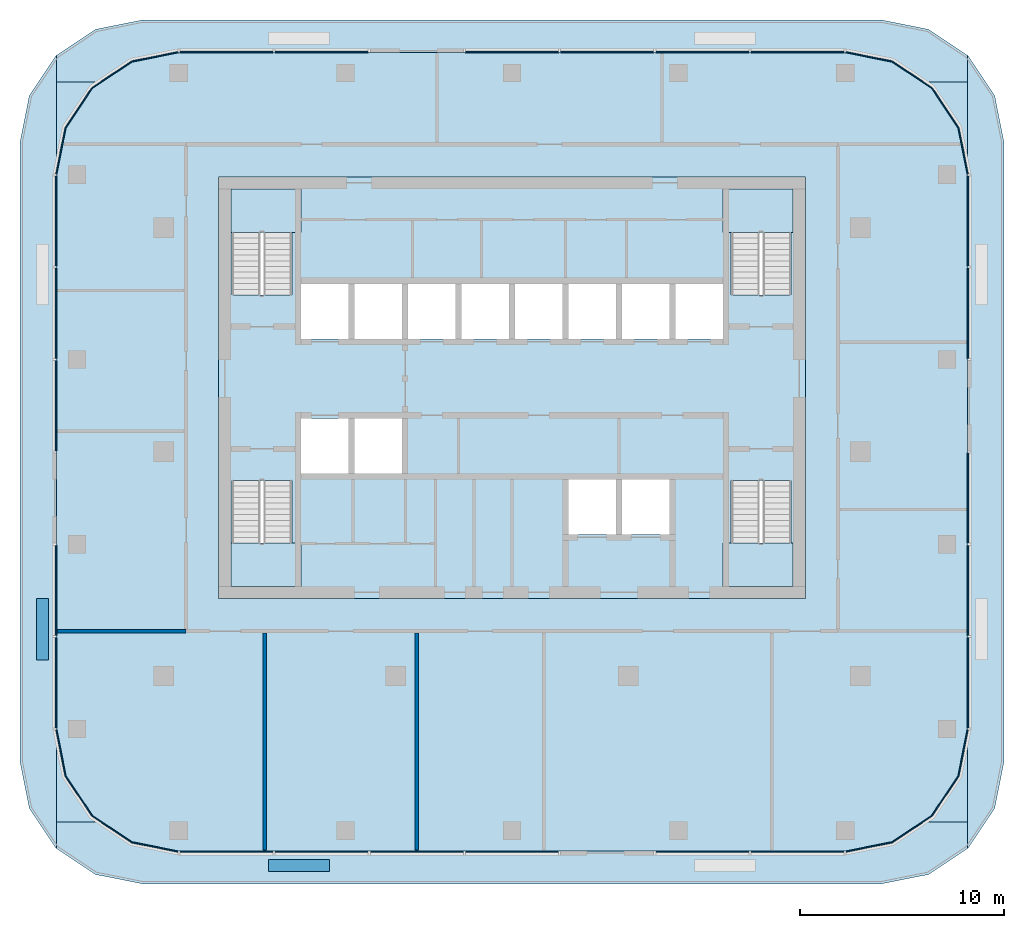
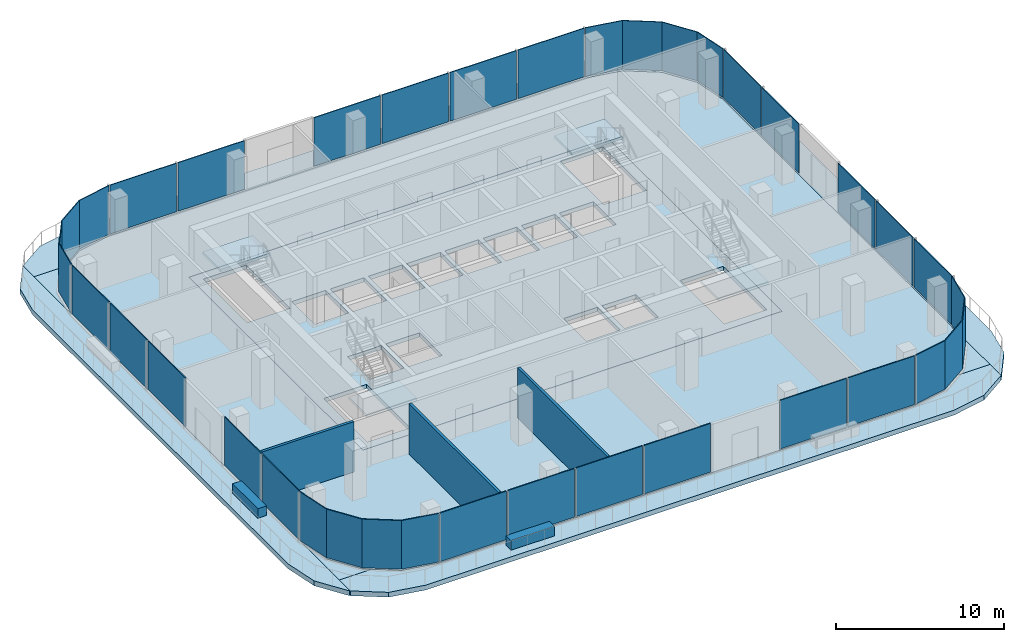
# One storey, part 5 of 12: 26 plates, 14 slabs, 5 walls, 16 elements without a shape of their own.
"""IFC4 building model written with IfcOpenShell, lengths in metres."""

from ifc_helpers import new_model, si_unit, direction, frame, frame_2d, origin, origin_2d, place, context, subcontext, project, spatial, polyline, rectangle, outline, extrude, material, layer, layer_set, type_object, element, aggregate, save


model = new_model("IFC4")

# Units and contexts
model_context = context("Model", 3, precision=1e-05, world=origin(), true_north=direction((0.0, 1.0)))
body_context = subcontext(model_context, "Body", "Model", "MODEL_VIEW")
ifc_project = project(units=[si_unit("LENGTHUNIT", "METRE"), si_unit("AREAUNIT", "SQUARE_METRE"), si_unit("VOLUMEUNIT", "CUBIC_METRE"), si_unit("PLANEANGLEUNIT", "RADIAN"), si_unit("MASSUNIT", "GRAM", prefix="KILO")], contexts=[model_context])

# Site, building, storey
site_placement = place(None, origin())
site = spatial("IfcSite", under=ifc_project, at=site_placement, CompositionType="ELEMENT")
building_placement = place(site_placement, origin())
building = spatial("IfcBuilding", under=site, at=building_placement, Name="Mopane Tessera Tower", CompositionType="ELEMENT")
storey_placement = place(building_placement, frame((0.0, 0.0, 349.39990234375)))
storey = spatial("IfcBuildingStorey", under=building, at=storey_placement, Name="L76", CompositionType="ELEMENT", Elevation=349.39990234375)

# Slab
ifc_material_1 = material(Name="Concrete C40/50", Category="concrete")
ifc_layer_1 = layer(ifc_material_1, 0.300048828125)
ifc_layer_set_1 = layer_set([ifc_layer_1], Name="Concrete C40/50")
slab_type_1 = type_object("IfcSlabType", Name="Core floor slab 300 mm", PredefinedType="FLOOR", material=ifc_layer_set_1)
slab_1_placement = place(storey_placement, frame((0.0, 0.0, -0.2998046875)))
element("IfcSlab", 1, at=slab_1_placement, inside=storey, type_object=slab_type_1, Name="L76 core floor slab", PredefinedType="FLOOR", context=body_context, shape_type="SweptSolid", body=[
    extrude(outline(polyline([(-14.39990234375, -7.199951171875), (14.39990234375, -7.199951171875), (14.39990234375, 13.5), (-14.39990234375, 13.5), (-14.39990234375, -7.199951171875)]), holes=[polyline([(-10.35009765625, -1.050048828125), (-8.02490234375, -1.050048828125), (-8.02490234375, 1.64990234375), (-10.35009765625, 1.64990234375), (-10.35009765625, -1.050048828125)]), polyline([(-7.72509765625, -1.050048828125), (-5.39990234375, -1.050048828125), (-5.39990234375, 1.64990234375), (-7.72509765625, 1.64990234375), (-7.72509765625, -1.050048828125)]), polyline([(-10.35009765625, 5.550048828125), (-8.02490234375, 5.550048828125), (-8.02490234375, 8.25), (-10.35009765625, 8.25), (-10.35009765625, 5.550048828125)]), polyline([(-7.72509765625, 5.550048828125), (-5.39990234375, 5.550048828125), (-5.39990234375, 8.25), (-7.72509765625, 8.25), (-7.72509765625, 5.550048828125)]), polyline([(-5.10009765625, 5.550048828125), (-2.77490234375, 5.550048828125), (-2.77490234375, 8.25), (-5.10009765625, 8.25), (-5.10009765625, 5.550048828125)]), polyline([(-2.47509765625, 5.550048828125), (-0.14990234375, 5.550048828125), (-0.14990234375, 8.25), (-2.47509765625, 8.25), (-2.47509765625, 5.550048828125)]), polyline([(0.14990234375, 5.550048828125), (2.47509765625, 5.550048828125), (2.47509765625, 8.25), (0.14990234375, 8.25), (0.14990234375, 5.550048828125)]), polyline([(2.77490234375, 5.550048828125), (5.10009765625, 5.550048828125), (5.10009765625, 8.25), (2.77490234375, 8.25), (2.77490234375, 5.550048828125)]), polyline([(5.39990234375, 5.550048828125), (7.72509765625, 5.550048828125), (7.72509765625, 8.25), (5.39990234375, 8.25), (5.39990234375, 5.550048828125)]), polyline([(8.02490234375, 5.550048828125), (10.35009765625, 5.550048828125), (10.35009765625, 8.25), (8.02490234375, 8.25), (8.02490234375, 5.550048828125)]), polyline([(2.77490234375, -4.050048828125), (5.10009765625, -4.050048828125), (5.10009765625, -1.35009765625), (2.77490234375, -1.35009765625), (2.77490234375, -4.050048828125)]), polyline([(5.39990234375, -4.050048828125), (7.72509765625, -4.050048828125), (7.72509765625, -1.35009765625), (5.39990234375, -1.35009765625), (5.39990234375, -4.050048828125)]), polyline([(-13.75, -1.405029296875), (-13.75, -6.60009765625), (-10.800048828125, -6.60009765625), (-10.800048828125, -1.405029296875), (-13.75, -1.405029296875)]), polyline([(-10.800048828125, 7.705078125), (-10.800048828125, 12.89990234375), (-13.75, 12.89990234375), (-13.75, 7.705078125), (-10.800048828125, 7.705078125)]), polyline([(10.75, -1.405029296875), (10.75, -6.60009765625), (13.699951171875, -6.60009765625), (13.699951171875, -1.405029296875), (10.75, -1.405029296875)]), polyline([(13.699951171875, 7.705078125), (13.699951171875, 12.89990234375), (10.75, 12.89990234375), (10.75, 7.705078125), (13.699951171875, 7.705078125)])]), origin(), (0.0, 0.0, 1.0), 0.2998046875),
])

# Stair, slab
ifc_material_2 = material(Name="Concrete C50/60", Category="concrete")
stair_type = type_object("IfcStairType", Name="Escape stair 1400 mm, riser 167 mm", PredefinedType="HALF_TURN_STAIR", material=ifc_material_2)
stair_1_placement = place(storey_placement, origin())
stair_1 = element("IfcStair", 2, at=stair_1_placement, inside=storey, type_object=stair_type, Name="L76 Escape stair south-west", PredefinedType="HALF_TURN_STAIR")
ifc_material_3 = material(Name="Concrete C50/60", Category="concrete")
ifc_layer_2 = layer(ifc_material_3, 0.199951171875)
ifc_layer_set_2 = layer_set([ifc_layer_2], Name="Concrete C50/60")
slab_type_2 = type_object("IfcSlabType", Name="Escape stair landing 200 mm", PredefinedType="LANDING", material=ifc_layer_set_2)
slab_2_placement = place(storey_placement, frame((0.0, 0.0, 1.800048828125)))
slab_2 = element("IfcSlab", 3, at=slab_2_placement, type_object=slab_type_2, Name="ST1 landing 1", PredefinedType="LANDING", context=body_context, shape_type="SweptSolid", body=[
    extrude(outline(polyline([(-13.800048828125, -4.47998046875), (-13.800048828125, -6.60009765625), (-10.35009765625, -6.60009765625), (-10.35009765625, -4.47998046875), (-13.800048828125, -4.47998046875)])), origin(), (0.0, 0.0, 1.0), 0.199951171875),
])
aggregate(stair_1, [slab_2])

stair_2_placement = place(storey_placement, origin())
stair_2 = element("IfcStair", 4, at=stair_2_placement, inside=storey, type_object=stair_type, Name="L76 Escape stair north-west", PredefinedType="HALF_TURN_STAIR")
slab_3_placement = place(storey_placement, frame((0.0, 0.0, 1.800048828125)))
slab_3 = element("IfcSlab", 5, at=slab_3_placement, type_object=slab_type_2, Name="ST2 landing 1", PredefinedType="LANDING", context=body_context, shape_type="SweptSolid", body=[
    extrude(outline(polyline([(-10.35009765625, 10.780029296875), (-10.35009765625, 12.89990234375), (-13.800048828125, 12.89990234375), (-13.800048828125, 10.780029296875), (-10.35009765625, 10.780029296875)])), origin(), (0.0, 0.0, 1.0), 0.199951171875),
])
aggregate(stair_2, [slab_3])

stair_3_placement = place(storey_placement, origin())
stair_3 = element("IfcStair", 6, at=stair_3_placement, inside=storey, type_object=stair_type, Name="L76 Escape stair south-east", PredefinedType="HALF_TURN_STAIR")
slab_4_placement = place(storey_placement, frame((0.0, 0.0, 1.800048828125)))
slab_4 = element("IfcSlab", 7, at=slab_4_placement, type_object=slab_type_2, Name="ST3 landing 1", PredefinedType="LANDING", context=body_context, shape_type="SweptSolid", body=[
    extrude(outline(polyline([(10.35009765625, -4.47998046875), (10.35009765625, -6.60009765625), (13.800048828125, -6.60009765625), (13.800048828125, -4.47998046875), (10.35009765625, -4.47998046875)])), origin(), (0.0, 0.0, 1.0), 0.199951171875),
])
aggregate(stair_3, [slab_4])

stair_4_placement = place(storey_placement, origin())
stair_4 = element("IfcStair", 8, at=stair_4_placement, inside=storey, type_object=stair_type, Name="L76 Escape stair north-east", PredefinedType="HALF_TURN_STAIR")
slab_5_placement = place(storey_placement, frame((0.0, 0.0, 1.800048828125)))
slab_5 = element("IfcSlab", 9, at=slab_5_placement, type_object=slab_type_2, Name="ST4 landing 1", PredefinedType="LANDING", context=body_context, shape_type="SweptSolid", body=[
    extrude(outline(polyline([(13.800048828125, 10.780029296875), (13.800048828125, 12.89990234375), (10.35009765625, 12.89990234375), (10.35009765625, 10.780029296875), (13.800048828125, 10.780029296875)])), origin(), (0.0, 0.0, 1.0), 0.199951171875),
])
aggregate(stair_4, [slab_5])

# Slabs
ifc_material_4 = material(Name="Concrete C40/50", Category="concrete")
ifc_layer_3 = layer(ifc_material_4, 0.35009765625)
ifc_layer_set_3 = layer_set([ifc_layer_3], Name="Concrete C40/50")
slab_type_3 = type_object("IfcSlabType", Name="Post-tensioned flat plate 350 mm", PredefinedType="FLOOR", material=ifc_layer_set_3)
slab_6_placement = place(storey_placement, frame((0.0, 0.0, -0.349853515625)))
element("IfcSlab", 10, at=slab_6_placement, inside=storey, type_object=slab_type_3, Name="Floor slab L76", PredefinedType="FLOOR", context=body_context, shape_type="SweptSolid", body=[
    extrude(outline(polyline([(-16.35009765625, -19.60009765625), (16.35009765625, -19.60009765625), (18.64599609375, -19.143310546875), (20.592529296875, -17.842529296875), (21.893310546875, -15.89599609375), (22.35009765625, -13.60009765625), (22.35009765625, 13.60009765625), (21.893310546875, 15.89599609375), (20.592529296875, 17.842529296875), (18.64599609375, 19.143310546875), (16.35009765625, 19.60009765625), (-16.35009765625, 19.60009765625), (-18.64599609375, 19.143310546875), (-20.592529296875, 17.842529296875), (-21.893310546875, 15.89599609375), (-22.35009765625, 13.60009765625), (-22.35009765625, -13.60009765625), (-21.893310546875, -15.89599609375), (-20.592529296875, -17.842529296875), (-18.64599609375, -19.143310546875), (-16.35009765625, -19.60009765625)]), holes=[polyline([(14.39990234375, -7.199951171875), (-14.39990234375, -7.199951171875), (-14.39990234375, 13.5), (14.39990234375, 13.5), (14.39990234375, -7.199951171875)])]), origin(), (0.0, 0.0, 1.0), 0.349853515625),
])
ifc_material_5 = material(Name="Concrete C40/50", Category="concrete")
ifc_layer_4 = layer(ifc_material_5, 0.35009765625)
ifc_layer_set_4 = layer_set([ifc_layer_4], Name="Concrete C40/50")
slab_type_4 = type_object("IfcSlabType", Name="Setback roof terrace slab 350 mm", PredefinedType="ROOF", material=ifc_layer_set_4)
slab_7_placement = place(storey_placement, frame((0.0, 0.0, -0.349853515625)))
element("IfcSlab", 11, at=slab_7_placement, inside=storey, type_object=slab_type_4, Name="Setback terrace slab L76", PredefinedType="ROOF", context=body_context, shape_type="SweptSolid", body=[
    extrude(outline(polyline([(-22.35009765625, -19.47119140625), (-22.35009765625, -13.60009765625), (-22.35009765625, 13.60009765625), (-22.35009765625, 19.47119140625), (-22.392578125, 19.442626953125), (-23.693359375, 17.49609375), (-24.14990234375, 15.199951171875), (-24.14990234375, -15.199951171875), (-23.693359375, -17.49609375), (-22.392578125, -19.442626953125), (-22.35009765625, -19.47119140625)])), origin(), (0.0, 0.0, 1.0), 0.349853515625),
])
slab_8_placement = place(storey_placement, frame((0.0, 0.0, -0.349853515625)))
element("IfcSlab", 12, at=slab_8_placement, inside=storey, type_object=slab_type_4, Name="Setback terrace slab L76", PredefinedType="ROOF", context=body_context, shape_type="SweptSolid", body=[
    extrude(outline(polyline([(-22.35009765625, -13.60009765625), (-22.35009765625, -18.159912109375), (-20.11767578125, -18.159912109375), (-20.592529296875, -17.842529296875), (-21.893310546875, -15.89599609375), (-22.35009765625, -13.60009765625)])), origin(), (0.0, 0.0, 1.0), 0.349853515625),
])
slab_9_placement = place(storey_placement, frame((0.0, 0.0, -0.349853515625)))
element("IfcSlab", 13, at=slab_9_placement, inside=storey, type_object=slab_type_4, Name="Setback terrace slab L76", PredefinedType="ROOF", context=body_context, shape_type="SweptSolid", body=[
    extrude(outline(polyline([(-20.11767578125, 18.159912109375), (-22.35009765625, 18.159912109375), (-22.35009765625, 13.60009765625), (-21.893310546875, 15.89599609375), (-20.592529296875, 17.842529296875), (-20.11767578125, 18.159912109375)])), origin(), (0.0, 0.0, 1.0), 0.349853515625),
])
slab_10_placement = place(storey_placement, frame((0.0, 0.0, -0.349853515625)))
element("IfcSlab", 14, at=slab_10_placement, inside=storey, type_object=slab_type_4, Name="Setback terrace slab L76", PredefinedType="ROOF", context=body_context, shape_type="SweptSolid", body=[
    extrude(outline(polyline([(-16.35009765625, -19.60009765625), (-18.64599609375, -19.143310546875), (-20.11767578125, -18.159912109375), (-22.35009765625, -18.159912109375), (-22.35009765625, -19.47119140625), (-22.1572265625, -19.60009765625), (-20.446044921875, -20.7431640625), (-18.14990234375, -21.199951171875), (18.14990234375, -21.199951171875), (20.446044921875, -20.7431640625), (22.1572265625, -19.60009765625), (22.35009765625, -19.47119140625), (22.35009765625, -18.159912109375), (20.11767578125, -18.159912109375), (18.64599609375, -19.143310546875), (16.35009765625, -19.60009765625), (-16.35009765625, -19.60009765625)])), origin(), (0.0, 0.0, 1.0), 0.349853515625),
])
slab_11_placement = place(storey_placement, frame((0.0, 0.0, -0.349853515625)))
element("IfcSlab", 15, at=slab_11_placement, inside=storey, type_object=slab_type_4, Name="Setback terrace slab L76", PredefinedType="ROOF", context=body_context, shape_type="SweptSolid", body=[
    extrude(outline(polyline([(16.35009765625, 19.60009765625), (18.64599609375, 19.143310546875), (20.11767578125, 18.159912109375), (22.35009765625, 18.159912109375), (22.35009765625, 19.47119140625), (22.1572265625, 19.60009765625), (20.446044921875, 20.7431640625), (18.14990234375, 21.199951171875), (-18.14990234375, 21.199951171875), (-20.446044921875, 20.7431640625), (-22.1572265625, 19.60009765625), (-22.35009765625, 19.47119140625), (-22.35009765625, 18.159912109375), (-20.11767578125, 18.159912109375), (-18.64599609375, 19.143310546875), (-16.35009765625, 19.60009765625), (16.35009765625, 19.60009765625)])), origin(), (0.0, 0.0, 1.0), 0.349853515625),
])
slab_12_placement = place(storey_placement, frame((0.0, 0.0, -0.349853515625)))
element("IfcSlab", 16, at=slab_12_placement, inside=storey, type_object=slab_type_4, Name="Setback terrace slab L76", PredefinedType="ROOF", context=body_context, shape_type="SweptSolid", body=[
    extrude(outline(polyline([(20.11767578125, -18.159912109375), (22.35009765625, -18.159912109375), (22.35009765625, -13.60009765625), (21.893310546875, -15.89599609375), (20.592529296875, -17.842529296875), (20.11767578125, -18.159912109375)])), origin(), (0.0, 0.0, 1.0), 0.349853515625),
])
slab_13_placement = place(storey_placement, frame((0.0, 0.0, -0.349853515625)))
element("IfcSlab", 17, at=slab_13_placement, inside=storey, type_object=slab_type_4, Name="Setback terrace slab L76", PredefinedType="ROOF", context=body_context, shape_type="SweptSolid", body=[
    extrude(outline(polyline([(22.35009765625, 13.60009765625), (22.35009765625, 18.159912109375), (20.11767578125, 18.159912109375), (20.592529296875, 17.842529296875), (21.893310546875, 15.89599609375), (22.35009765625, 13.60009765625)])), origin(), (0.0, 0.0, 1.0), 0.349853515625),
])
slab_14_placement = place(storey_placement, frame((0.0, 0.0, -0.349853515625)))
element("IfcSlab", 18, at=slab_14_placement, inside=storey, type_object=slab_type_4, Name="Setback terrace slab L76", PredefinedType="ROOF", context=body_context, shape_type="SweptSolid", body=[
    extrude(outline(polyline([(22.35009765625, 19.47119140625), (22.35009765625, 13.60009765625), (22.35009765625, -13.60009765625), (22.35009765625, -19.47119140625), (22.392578125, -19.442626953125), (23.693359375, -17.49609375), (24.14990234375, -15.199951171875), (24.14990234375, 15.199951171875), (23.693359375, 17.49609375), (22.392578125, 19.442626953125), (22.35009765625, 19.47119140625)])), origin(), (0.0, 0.0, 1.0), 0.349853515625),
])

# Curtain wall, plates
ifc_material_6 = material(Name="Aluminium frame", Category="aluminium")
curtain_wall_type = type_object("IfcCurtainWallType", Name="Unitised curtain wall", PredefinedType="NOTDEFINED", material=ifc_material_6)
curtain_wall_1_placement = place(storey_placement, origin())
curtain_wall_1 = element("IfcCurtainWall", 19, at=curtain_wall_1_placement, inside=storey, type_object=curtain_wall_type, Name="e:cw:L76:S:0", PredefinedType="NOTDEFINED")
ifc_material_7 = material(Name="Clear laminated glass", Category="glass")
ifc_layer_5 = layer(ifc_material_7, 0.06005859375)
ifc_layer_set_5 = layer_set([ifc_layer_5], Name="Clear laminated glass")
plate_type = type_object("IfcPlateType", Name="Unitised glazed unit", PredefinedType="CURTAIN_PANEL", material=ifc_layer_set_5)
plate_1_placement = place(storey_placement, frame((-14.014404296875, -19.6298828125, 0.1201171875), z_axis=(0.0, 0.0, 1.0), x_axis=(1.0, 0.0, 0.0)))
plate_1 = element("IfcPlate", 20, at=plate_1_placement, type_object=plate_type, Name="e:cw:L76:S:0:pn0", PredefinedType="CURTAIN_PANEL", context=body_context, shape_type="SweptSolid", body=[
    extrude(rectangle(XDim=4.571533203125, YDim=0.06005859375, at=origin_2d()), origin(), (0.0, 0.0, 1.0), 3.530029296875),
])
plate_2_placement = place(storey_placement, frame((-9.3427734375, -19.6298828125, 0.1201171875), z_axis=(0.0, 0.0, 1.0), x_axis=(1.0, 0.0, 0.0)))
plate_2 = element("IfcPlate", 21, at=plate_2_placement, type_object=plate_type, Name="e:cw:L76:S:0:pn1", PredefinedType="CURTAIN_PANEL", context=body_context, shape_type="SweptSolid", body=[
    extrude(rectangle(XDim=4.571533203125, YDim=0.06005859375, at=origin_2d()), origin(), (0.0, 0.0, 1.0), 3.530029296875),
])
plate_3_placement = place(storey_placement, frame((-4.67138671875, -19.6298828125, 0.1201171875), z_axis=(0.0, 0.0, 1.0), x_axis=(1.0, 0.0, 0.0)))
plate_3 = element("IfcPlate", 22, at=plate_3_placement, type_object=plate_type, Name="e:cw:L76:S:0:pn2", PredefinedType="CURTAIN_PANEL", context=body_context, shape_type="SweptSolid", body=[
    extrude(rectangle(XDim=4.571533203125, YDim=0.06005859375, at=origin_2d()), origin(), (0.0, 0.0, 1.0), 3.530029296875),
])
plate_4_placement = place(storey_placement, frame((0.0, -19.6298828125, 0.1201171875), z_axis=(0.0, 0.0, 1.0), x_axis=(1.0, 0.0, 0.0)))
plate_4 = element("IfcPlate", 23, at=plate_4_placement, type_object=plate_type, Name="e:cw:L76:S:0:pn3", PredefinedType="CURTAIN_PANEL", context=body_context, shape_type="SweptSolid", body=[
    extrude(rectangle(XDim=4.571533203125, YDim=0.06005859375, at=origin_2d()), origin(), (0.0, 0.0, 1.0), 3.530029296875),
])
aggregate(curtain_wall_1, [plate_1, plate_2, plate_3, plate_4])

curtain_wall_2_placement = place(storey_placement, origin())
curtain_wall_2 = element("IfcCurtainWall", 24, at=curtain_wall_2_placement, inside=storey, type_object=curtain_wall_type, Name="e:cw:L76:S:5", PredefinedType="NOTDEFINED")
plate_5_placement = place(storey_placement, frame((9.3427734375, -19.6298828125, 0.1201171875), z_axis=(0.0, 0.0, 1.0), x_axis=(1.0, 0.0, 0.0)))
plate_5 = element("IfcPlate", 25, at=plate_5_placement, type_object=plate_type, Name="e:cw:L76:S:5:pn5", PredefinedType="CURTAIN_PANEL", context=body_context, shape_type="SweptSolid", body=[
    extrude(rectangle(XDim=4.571533203125, YDim=0.06005859375, at=origin_2d()), origin(), (0.0, 0.0, 1.0), 3.530029296875),
])
plate_6_placement = place(storey_placement, frame((14.014404296875, -19.6298828125, 0.1201171875), z_axis=(0.0, 0.0, 1.0), x_axis=(1.0, 0.0, 0.0)))
plate_6 = element("IfcPlate", 26, at=plate_6_placement, type_object=plate_type, Name="e:cw:L76:S:5:pn6", PredefinedType="CURTAIN_PANEL", context=body_context, shape_type="SweptSolid", body=[
    extrude(rectangle(XDim=4.571533203125, YDim=0.06005859375, at=origin_2d()), origin(), (0.0, 0.0, 1.0), 3.530029296875),
])
aggregate(curtain_wall_2, [plate_5, plate_6])

# Curtain wall, plate
curtain_wall_3_placement = place(storey_placement, origin())
curtain_wall_3 = element("IfcCurtainWall", 27, at=curtain_wall_3_placement, inside=storey, type_object=curtain_wall_type, Name="e:cw:L76:CS", PredefinedType="NOTDEFINED")
plate_7_placement = place(storey_placement, frame((0.0, 0.0, 0.1201171875)))
plate_7 = element("IfcPlate", 28, at=plate_7_placement, type_object=plate_type, Name="e:cw:L76:CS:pn", PredefinedType="CURTAIN_PANEL", context=body_context, shape_type="SweptSolid", body=[
    extrude(outline(polyline([(16.35009765625, -19.60009765625), (18.64599609375, -19.143310546875), (20.592529296875, -17.842529296875), (21.893310546875, -15.89599609375), (22.35009765625, -13.60009765625), (22.409912109375, -13.60009765625), (21.94873046875, -15.9189453125), (20.635009765625, -17.885009765625), (18.6689453125, -19.19873046875), (16.35009765625, -19.659912109375), (16.35009765625, -19.60009765625)])), origin(), (0.0, 0.0, 1.0), 3.530029296875),
])
aggregate(curtain_wall_3, [plate_7])

# Curtain wall, plates
curtain_wall_4_placement = place(storey_placement, origin())
curtain_wall_4 = element("IfcCurtainWall", 29, at=curtain_wall_4_placement, inside=storey, type_object=curtain_wall_type, Name="e:cw:L76:E:0", PredefinedType="NOTDEFINED")
plate_8_placement = place(storey_placement, frame((22.3798828125, -11.333251953125, 0.1201171875), z_axis=(0.0, 0.0, 1.0), x_axis=(0.0, 1.0, 0.0)))
plate_8 = element("IfcPlate", 30, at=plate_8_placement, type_object=plate_type, Name="e:cw:L76:E:0:pn0", PredefinedType="CURTAIN_PANEL", context=body_context, shape_type="SweptSolid", body=[
    extrude(rectangle(XDim=4.433349609375, YDim=0.06005859375, at=origin_2d()), origin(), (0.0, 0.0, 1.0), 3.530029296875),
])
plate_9_placement = place(storey_placement, frame((22.3798828125, -6.800048828125, 0.1201171875), z_axis=(0.0, 0.0, 1.0), x_axis=(0.0, 1.0, 0.0)))
plate_9 = element("IfcPlate", 31, at=plate_9_placement, type_object=plate_type, Name="e:cw:L76:E:0:pn1", PredefinedType="CURTAIN_PANEL", context=body_context, shape_type="SweptSolid", body=[
    extrude(rectangle(XDim=4.433349609375, YDim=0.06005859375, at=origin_2d()), origin(), (0.0, 0.0, 1.0), 3.530029296875),
])
plate_10_placement = place(storey_placement, frame((22.3798828125, -2.2666015625, 0.1201171875), z_axis=(0.0, 0.0, 1.0), x_axis=(0.0, 1.0, 0.0)))
plate_10 = element("IfcPlate", 32, at=plate_10_placement, type_object=plate_type, Name="e:cw:L76:E:0:pn2", PredefinedType="CURTAIN_PANEL", context=body_context, shape_type="SweptSolid", body=[
    extrude(rectangle(XDim=4.433349609375, YDim=0.06005859375, at=origin_2d()), origin(), (0.0, 0.0, 1.0), 3.530029296875),
])
aggregate(curtain_wall_4, [plate_8, plate_9, plate_10])

curtain_wall_5_placement = place(storey_placement, origin())
curtain_wall_5 = element("IfcCurtainWall", 33, at=curtain_wall_5_placement, inside=storey, type_object=curtain_wall_type, Name="e:cw:L76:E:4", PredefinedType="NOTDEFINED")
plate_11_placement = place(storey_placement, frame((22.3798828125, 6.800048828125, 0.1201171875), z_axis=(0.0, 0.0, 1.0), x_axis=(0.0, 1.0, 0.0)))
plate_11 = element("IfcPlate", 34, at=plate_11_placement, type_object=plate_type, Name="e:cw:L76:E:4:pn4", PredefinedType="CURTAIN_PANEL", context=body_context, shape_type="SweptSolid", body=[
    extrude(rectangle(XDim=4.433349609375, YDim=0.06005859375, at=origin_2d()), origin(), (0.0, 0.0, 1.0), 3.530029296875),
])
plate_12_placement = place(storey_placement, frame((22.3798828125, 11.333251953125, 0.1201171875), z_axis=(0.0, 0.0, 1.0), x_axis=(0.0, 1.0, 0.0)))
plate_12 = element("IfcPlate", 35, at=plate_12_placement, type_object=plate_type, Name="e:cw:L76:E:4:pn5", PredefinedType="CURTAIN_PANEL", context=body_context, shape_type="SweptSolid", body=[
    extrude(rectangle(XDim=4.433349609375, YDim=0.06005859375, at=origin_2d()), origin(), (0.0, 0.0, 1.0), 3.530029296875),
])
aggregate(curtain_wall_5, [plate_11, plate_12])

# Curtain wall, plate
curtain_wall_6_placement = place(storey_placement, origin())
curtain_wall_6 = element("IfcCurtainWall", 36, at=curtain_wall_6_placement, inside=storey, type_object=curtain_wall_type, Name="e:cw:L76:CE", PredefinedType="NOTDEFINED")
plate_13_placement = place(storey_placement, frame((0.0, 0.0, 0.1201171875)))
plate_13 = element("IfcPlate", 37, at=plate_13_placement, type_object=plate_type, Name="e:cw:L76:CE:pn", PredefinedType="CURTAIN_PANEL", context=body_context, shape_type="SweptSolid", body=[
    extrude(outline(polyline([(22.35009765625, 13.60009765625), (21.893310546875, 15.89599609375), (20.592529296875, 17.842529296875), (18.64599609375, 19.143310546875), (16.35009765625, 19.60009765625), (16.35009765625, 19.659912109375), (18.6689453125, 19.19873046875), (20.635009765625, 17.885009765625), (21.94873046875, 15.9189453125), (22.409912109375, 13.60009765625), (22.35009765625, 13.60009765625)])), origin(), (0.0, 0.0, 1.0), 3.530029296875),
])
aggregate(curtain_wall_6, [plate_13])

# Curtain wall, plates
curtain_wall_7_placement = place(storey_placement, origin())
curtain_wall_7 = element("IfcCurtainWall", 38, at=curtain_wall_7_placement, inside=storey, type_object=curtain_wall_type, Name="e:cw:L76:N:0", PredefinedType="NOTDEFINED")
plate_14_placement = place(storey_placement, frame((14.014404296875, 19.6298828125, 0.1201171875), z_axis=(0.0, 0.0, 1.0), x_axis=(-1.0, 0.0, 0.0)))
plate_14 = element("IfcPlate", 39, at=plate_14_placement, type_object=plate_type, Name="e:cw:L76:N:0:pn0", PredefinedType="CURTAIN_PANEL", context=body_context, shape_type="SweptSolid", body=[
    extrude(rectangle(XDim=4.571533203125, YDim=0.06005859375, at=origin_2d()), origin(), (0.0, 0.0, 1.0), 3.530029296875),
])
plate_15_placement = place(storey_placement, frame((9.3427734375, 19.6298828125, 0.1201171875), z_axis=(0.0, 0.0, 1.0), x_axis=(-1.0, 0.0, 0.0)))
plate_15 = element("IfcPlate", 40, at=plate_15_placement, type_object=plate_type, Name="e:cw:L76:N:0:pn1", PredefinedType="CURTAIN_PANEL", context=body_context, shape_type="SweptSolid", body=[
    extrude(rectangle(XDim=4.571533203125, YDim=0.06005859375, at=origin_2d()), origin(), (0.0, 0.0, 1.0), 3.530029296875),
])
plate_16_placement = place(storey_placement, frame((4.67138671875, 19.6298828125, 0.1201171875), z_axis=(0.0, 0.0, 1.0), x_axis=(-1.0, 0.0, 0.0)))
plate_16 = element("IfcPlate", 41, at=plate_16_placement, type_object=plate_type, Name="e:cw:L76:N:0:pn2", PredefinedType="CURTAIN_PANEL", context=body_context, shape_type="SweptSolid", body=[
    extrude(rectangle(XDim=4.571533203125, YDim=0.06005859375, at=origin_2d()), origin(), (0.0, 0.0, 1.0), 3.530029296875),
])
plate_17_placement = place(storey_placement, frame((0.0, 19.6298828125, 0.1201171875), z_axis=(0.0, 0.0, 1.0), x_axis=(-1.0, 0.0, 0.0)))
plate_17 = element("IfcPlate", 42, at=plate_17_placement, type_object=plate_type, Name="e:cw:L76:N:0:pn3", PredefinedType="CURTAIN_PANEL", context=body_context, shape_type="SweptSolid", body=[
    extrude(rectangle(XDim=4.571533203125, YDim=0.06005859375, at=origin_2d()), origin(), (0.0, 0.0, 1.0), 3.530029296875),
])
aggregate(curtain_wall_7, [plate_14, plate_15, plate_16, plate_17])

curtain_wall_8_placement = place(storey_placement, origin())
curtain_wall_8 = element("IfcCurtainWall", 43, at=curtain_wall_8_placement, inside=storey, type_object=curtain_wall_type, Name="e:cw:L76:N:5", PredefinedType="NOTDEFINED")
plate_18_placement = place(storey_placement, frame((-9.3427734375, 19.6298828125, 0.1201171875), z_axis=(0.0, 0.0, 1.0), x_axis=(-1.0, 0.0, 0.0)))
plate_18 = element("IfcPlate", 44, at=plate_18_placement, type_object=plate_type, Name="e:cw:L76:N:5:pn5", PredefinedType="CURTAIN_PANEL", context=body_context, shape_type="SweptSolid", body=[
    extrude(rectangle(XDim=4.571533203125, YDim=0.06005859375, at=origin_2d()), origin(), (0.0, 0.0, 1.0), 3.530029296875),
])
plate_19_placement = place(storey_placement, frame((-14.014404296875, 19.6298828125, 0.1201171875), z_axis=(0.0, 0.0, 1.0), x_axis=(-1.0, 0.0, 0.0)))
plate_19 = element("IfcPlate", 45, at=plate_19_placement, type_object=plate_type, Name="e:cw:L76:N:5:pn6", PredefinedType="CURTAIN_PANEL", context=body_context, shape_type="SweptSolid", body=[
    extrude(rectangle(XDim=4.571533203125, YDim=0.06005859375, at=origin_2d()), origin(), (0.0, 0.0, 1.0), 3.530029296875),
])
aggregate(curtain_wall_8, [plate_18, plate_19])

# Curtain wall, plate
curtain_wall_9_placement = place(storey_placement, origin())
curtain_wall_9 = element("IfcCurtainWall", 46, at=curtain_wall_9_placement, inside=storey, type_object=curtain_wall_type, Name="e:cw:L76:CN", PredefinedType="NOTDEFINED")
plate_20_placement = place(storey_placement, frame((0.0, 0.0, 0.1201171875)))
plate_20 = element("IfcPlate", 47, at=plate_20_placement, type_object=plate_type, Name="e:cw:L76:CN:pn", PredefinedType="CURTAIN_PANEL", context=body_context, shape_type="SweptSolid", body=[
    extrude(outline(polyline([(-16.35009765625, 19.60009765625), (-18.64599609375, 19.143310546875), (-20.592529296875, 17.842529296875), (-21.893310546875, 15.89599609375), (-22.35009765625, 13.60009765625), (-22.409912109375, 13.60009765625), (-21.94873046875, 15.9189453125), (-20.635009765625, 17.885009765625), (-18.6689453125, 19.19873046875), (-16.35009765625, 19.659912109375), (-16.35009765625, 19.60009765625)])), origin(), (0.0, 0.0, 1.0), 3.530029296875),
])
aggregate(curtain_wall_9, [plate_20])

# Curtain wall, plates
curtain_wall_10_placement = place(storey_placement, origin())
curtain_wall_10 = element("IfcCurtainWall", 48, at=curtain_wall_10_placement, inside=storey, type_object=curtain_wall_type, Name="e:cw:L76:W:0", PredefinedType="NOTDEFINED")
plate_21_placement = place(storey_placement, frame((-22.3798828125, 11.333251953125, 0.1201171875), z_axis=(0.0, 0.0, 1.0), x_axis=(0.0, -1.0, 0.0)))
plate_21 = element("IfcPlate", 49, at=plate_21_placement, type_object=plate_type, Name="e:cw:L76:W:0:pn0", PredefinedType="CURTAIN_PANEL", context=body_context, shape_type="SweptSolid", body=[
    extrude(rectangle(XDim=4.433349609375, YDim=0.06005859375, at=origin_2d()), origin(), (0.0, 0.0, 1.0), 3.530029296875),
])
plate_22_placement = place(storey_placement, frame((-22.3798828125, 6.800048828125, 0.1201171875), z_axis=(0.0, 0.0, 1.0), x_axis=(0.0, -1.0, 0.0)))
plate_22 = element("IfcPlate", 50, at=plate_22_placement, type_object=plate_type, Name="e:cw:L76:W:0:pn1", PredefinedType="CURTAIN_PANEL", context=body_context, shape_type="SweptSolid", body=[
    extrude(rectangle(XDim=4.433349609375, YDim=0.06005859375, at=origin_2d()), origin(), (0.0, 0.0, 1.0), 3.530029296875),
])
plate_23_placement = place(storey_placement, frame((-22.3798828125, 2.2666015625, 0.1201171875), z_axis=(0.0, 0.0, 1.0), x_axis=(0.0, -1.0, 0.0)))
plate_23 = element("IfcPlate", 51, at=plate_23_placement, type_object=plate_type, Name="e:cw:L76:W:0:pn2", PredefinedType="CURTAIN_PANEL", context=body_context, shape_type="SweptSolid", body=[
    extrude(rectangle(XDim=4.433349609375, YDim=0.06005859375, at=origin_2d()), origin(), (0.0, 0.0, 1.0), 3.530029296875),
])
aggregate(curtain_wall_10, [plate_21, plate_22, plate_23])

curtain_wall_11_placement = place(storey_placement, origin())
curtain_wall_11 = element("IfcCurtainWall", 52, at=curtain_wall_11_placement, inside=storey, type_object=curtain_wall_type, Name="e:cw:L76:W:4", PredefinedType="NOTDEFINED")
plate_24_placement = place(storey_placement, frame((-22.3798828125, -6.800048828125, 0.1201171875), z_axis=(0.0, 0.0, 1.0), x_axis=(0.0, -1.0, 0.0)))
plate_24 = element("IfcPlate", 53, at=plate_24_placement, type_object=plate_type, Name="e:cw:L76:W:4:pn4", PredefinedType="CURTAIN_PANEL", context=body_context, shape_type="SweptSolid", body=[
    extrude(rectangle(XDim=4.433349609375, YDim=0.06005859375, at=origin_2d()), origin(), (0.0, 0.0, 1.0), 3.530029296875),
])
plate_25_placement = place(storey_placement, frame((-22.3798828125, -11.333251953125, 0.1201171875), z_axis=(0.0, 0.0, 1.0), x_axis=(0.0, -1.0, 0.0)))
plate_25 = element("IfcPlate", 54, at=plate_25_placement, type_object=plate_type, Name="e:cw:L76:W:4:pn5", PredefinedType="CURTAIN_PANEL", context=body_context, shape_type="SweptSolid", body=[
    extrude(rectangle(XDim=4.433349609375, YDim=0.06005859375, at=origin_2d()), origin(), (0.0, 0.0, 1.0), 3.530029296875),
])
aggregate(curtain_wall_11, [plate_24, plate_25])

# Curtain wall, plate
curtain_wall_12_placement = place(storey_placement, origin())
curtain_wall_12 = element("IfcCurtainWall", 55, at=curtain_wall_12_placement, inside=storey, type_object=curtain_wall_type, Name="e:cw:L76:CW", PredefinedType="NOTDEFINED")
plate_26_placement = place(storey_placement, frame((0.0, 0.0, 0.1201171875)))
plate_26 = element("IfcPlate", 56, at=plate_26_placement, type_object=plate_type, Name="e:cw:L76:CW:pn", PredefinedType="CURTAIN_PANEL", context=body_context, shape_type="SweptSolid", body=[
    extrude(outline(polyline([(-22.35009765625, -13.60009765625), (-21.893310546875, -15.89599609375), (-20.592529296875, -17.842529296875), (-18.64599609375, -19.143310546875), (-16.35009765625, -19.60009765625), (-16.35009765625, -19.659912109375), (-18.6689453125, -19.19873046875), (-20.635009765625, -17.885009765625), (-21.94873046875, -15.9189453125), (-22.409912109375, -13.60009765625), (-22.35009765625, -13.60009765625)])), origin(), (0.0, 0.0, 1.0), 3.530029296875),
])
aggregate(curtain_wall_12, [plate_26])

# Walls
ifc_material_8 = material(Name="Gypsum board on staggered steel studs, double layer each face, acoustic mineral wool infill", Category="steel")
ifc_layer_6 = layer(ifc_material_8, 0.175048828125)
ifc_layer_set_6 = layer_set([ifc_layer_6], Name="Gypsum board on staggered steel studs, double layer each face, acoustic mineral wool infill")
wall_type_1 = type_object("IfcWallType", Name="Gypsum board acoustic partition 175, rated EI 60", PredefinedType="PARTITIONING", material=ifc_layer_set_6)
wall_placement = place(storey_placement, frame((-22.300048828125, -8.800048828125, 0.0), z_axis=(0.0, 0.0, 1.0), x_axis=(1.0, 0.0, 0.0)))
element("IfcWall", 57, at=wall_placement, inside=storey, type_object=wall_type_1, Name="Partition L76:001", PredefinedType="PARTITIONING", context=body_context, shape_type="SweptSolid", body=[
    extrude(rectangle(XDim=6.300048828125, YDim=0.175048828125, at=frame_2d((3.14990234375, 0.0))), origin(), (0.0, 0.0, 1.0), 3.650146484375),
])
for number, where, z_axis, x_axis, name in (
    (58, (-12.139892578125, -19.550048828125, 0.0), (0.0, 0.0, 1.0), (0.0, 1.0, 0.0), "Partition L76:011"),
    (59, (-4.669921875, -19.550048828125, 0.0), (0.0, 0.0, 1.0), (0.0, 1.0, 0.0), "Partition L76:012"),
):
    element("IfcWall", number, at=place(storey_placement, frame(where, z_axis=z_axis, x_axis=x_axis)), inside=storey, type_object=wall_type_1, Name=name, PredefinedType="PARTITIONING", context=body_context, shape_type="SweptSolid", body=[
        extrude(rectangle(XDim=10.650146484375, YDim=0.175048828125, at=frame_2d((5.3251953125, 0.0))), origin(), (0.0, 0.0, 1.0), 3.650146484375),
    ])
ifc_material_9 = material(Name="Reinforced concrete C32/40 with waterproofing", Category="concrete")
ifc_layer_7 = layer(ifc_material_9, 0.60009765625)
ifc_layer_set_7 = layer_set([ifc_layer_7], Name="Reinforced concrete C32/40 with waterproofing")
wall_type_2 = type_object("IfcWallType", Name="Planter trough 3000 x 600", PredefinedType="STANDARD", material=ifc_layer_set_7)
for number, where, z_axis, x_axis, name in (
    (60, (-11.964111328125, -20.300048828125, 0.0), (0.0, 0.0, 1.0), (1.0, 0.0, 0.0), "e:sp:L76:S0"),
    (61, (-23.050048828125, -7.2041015625, 0.0), (0.0, 0.0, 1.0), (0.0, -1.0, 0.0), "e:sp:L76:W1"),
):
    element("IfcWall", number, at=place(storey_placement, frame(where, z_axis=z_axis, x_axis=x_axis)), inside=storey, type_object=wall_type_2, Name=name, PredefinedType="STANDARD", context=body_context, shape_type="SweptSolid", body=[
        extrude(rectangle(XDim=3.0, YDim=0.60009765625, at=frame_2d((1.5, 0.0))), origin(), (0.0, 0.0, 1.0), 0.7001953125),
    ])

save(model, "model.ifc")
